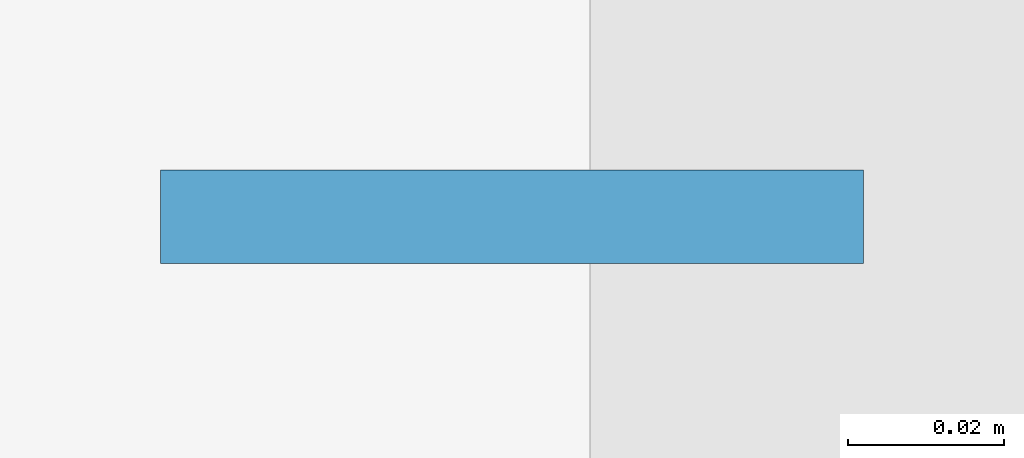
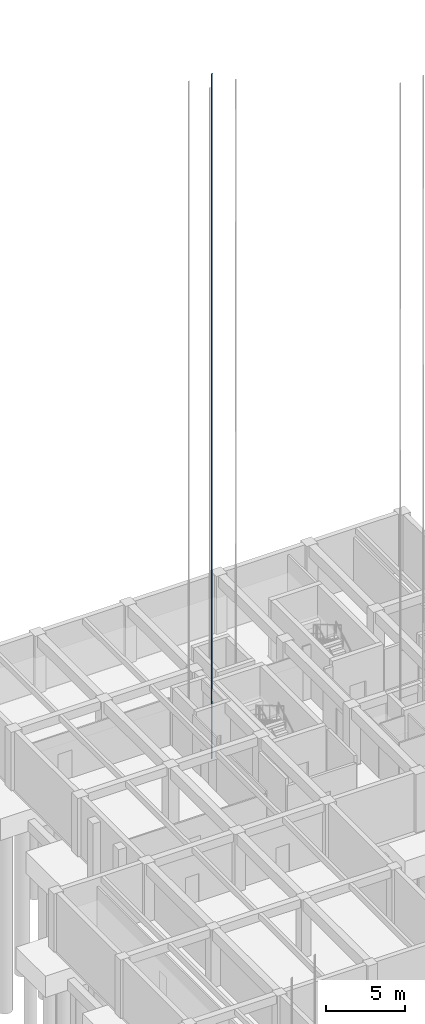
# One storey, part 25 of 44: 1 plate.
"""IFC4 building model written with IfcOpenShell, lengths in metres."""

from ifc_helpers import new_model, si_unit, direction, frame, origin, origin_2d, place, context, subcontext, project, spatial, rectangle, extrude, material, layer, layer_set, type_object, element, save


model = new_model("IFC4")

# Units and contexts
model_context = context("Model", 3, precision=1e-05, world=origin(), true_north=direction((0.0, 1.0)))
body_context = subcontext(model_context, "Body", "Model", "MODEL_VIEW")
ifc_project = project(units=[si_unit("LENGTHUNIT", "METRE"), si_unit("AREAUNIT", "SQUARE_METRE"), si_unit("VOLUMEUNIT", "CUBIC_METRE"), si_unit("PLANEANGLEUNIT", "RADIAN"), si_unit("MASSUNIT", "GRAM", prefix="KILO")], contexts=[model_context])

# Site, building, storey
site_placement = place(None, origin())
site = spatial("IfcSite", under=ifc_project, at=site_placement, CompositionType="ELEMENT")
building_placement = place(site_placement, origin())
building = spatial("IfcBuilding", under=site, at=building_placement, Name="Kolvaren Faculty of Natural Sciences", CompositionType="ELEMENT")
storey_placement = place(building_placement, frame((0.0, 0.0, -4.5)))
storey = spatial("IfcBuildingStorey", under=building, at=storey_placement, Name="B01", CompositionType="ELEMENT", Elevation=-4.5)

# Plate
ifc_material = material(Name="Structural steel EN 10025-2 S355J2", Category="steel")
ifc_layer = layer(ifc_material, 0.011962890625)
ifc_layer_set = layer_set([ifc_layer], Name="Structural steel EN 10025-2 S355J2")
plate_type = type_object("IfcPlateType", Name="LiftGuideRail_T89", PredefinedType="USERDEFINED", material=ifc_layer_set)
plate_placement = place(storey_placement, frame((151.739990234375, 73.14990234375, -0.81982421875), z_axis=(0.0, 0.0, 1.0), x_axis=(1.0, 0.0, 0.0)))
element("IfcPlate", 1, at=plate_placement, inside=storey, type_object=plate_type, Name="Lift FL-2 steel guide rail 2", ObjectType="GUIDE RAIL", PredefinedType="USERDEFINED", context=body_context, shape_type="SweptSolid", body=[
    extrude(rectangle(XDim=0.090087890625, YDim=0.011962890625, at=origin_2d()), origin(), (0.0, 0.0, 1.0), 52.820068359375),
])

save(model, "model.ifc")
